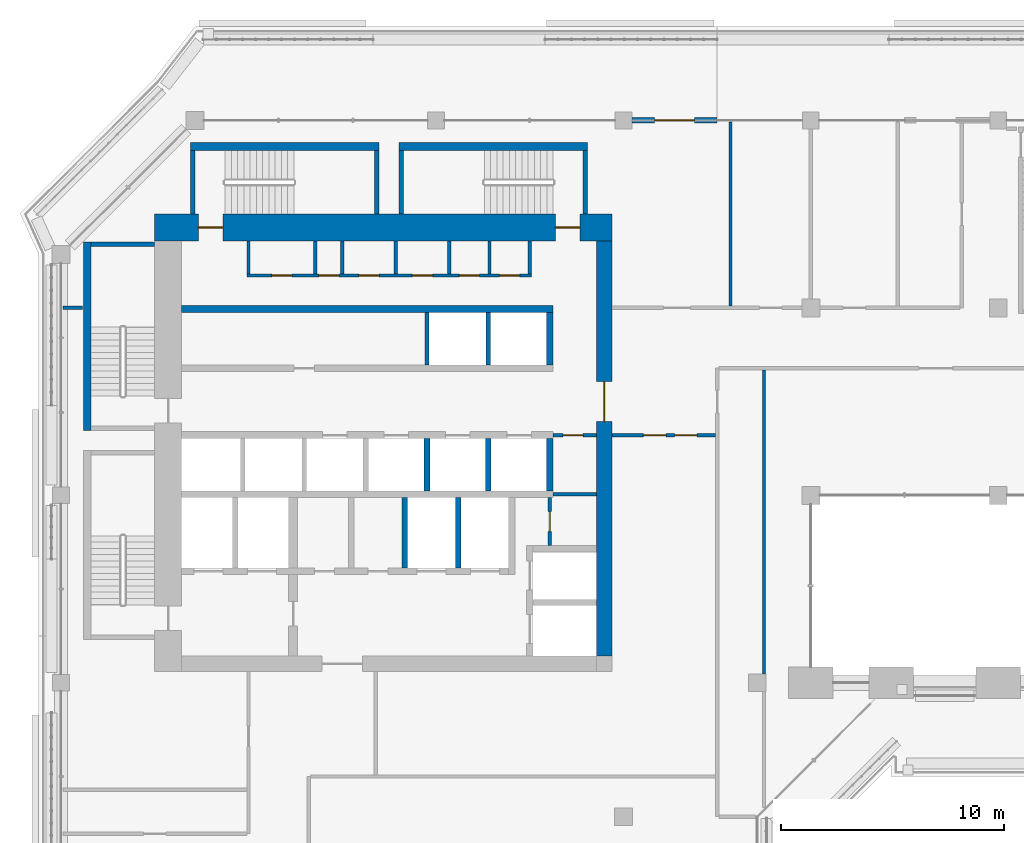
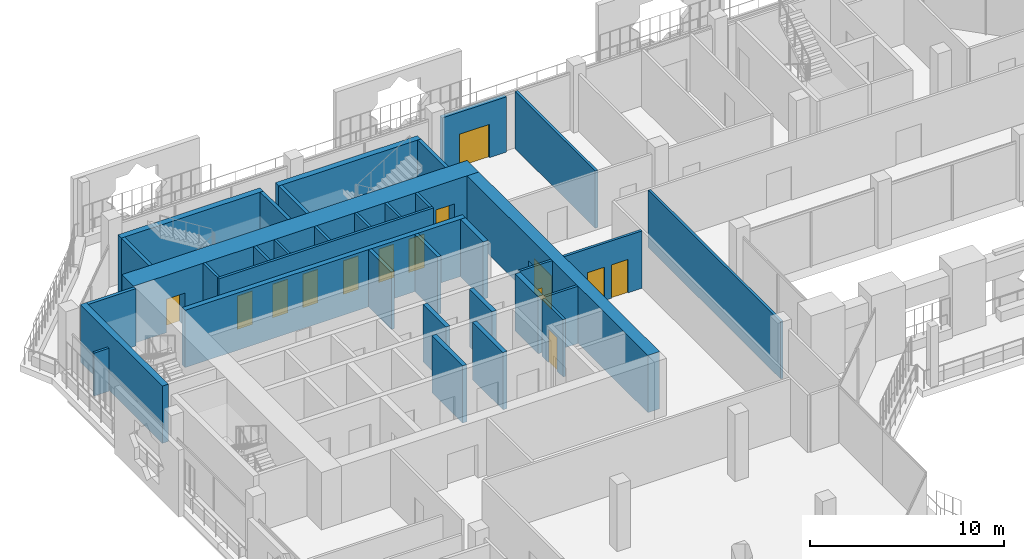
# One storey, part 12 of 23: 35 walls, 14 doors, 14 openings.
"""IFC4 building model written with IfcOpenShell, lengths in metres."""

from ifc_helpers import new_model, si_unit, direction, frame, frame_2d, origin, place, context, subcontext, project, spatial, rectangle, extrude, material, layer, layer_set, type_object, element, fill, save


model = new_model("IFC4")

# Units and contexts
model_context = context("Model", 3, precision=1e-05, world=origin(), true_north=direction((0.0, 1.0)))
body_context = subcontext(model_context, "Body", "Model", "MODEL_VIEW")
ifc_project = project(units=[si_unit("LENGTHUNIT", "METRE"), si_unit("AREAUNIT", "SQUARE_METRE"), si_unit("VOLUMEUNIT", "CUBIC_METRE"), si_unit("PLANEANGLEUNIT", "RADIAN"), si_unit("MASSUNIT", "GRAM", prefix="KILO")], contexts=[model_context])

# Site, building, storey
site_placement = place(None, origin())
site = spatial("IfcSite", under=ifc_project, at=site_placement, CompositionType="ELEMENT")
building_placement = place(site_placement, origin())
building = spatial("IfcBuilding", under=site, at=building_placement, Name="Kawkab Arch Medical Tower", CompositionType="ELEMENT")
storey_placement = place(building_placement, frame((0.0, 0.0, 281.800048828125)))
storey = spatial("IfcBuildingStorey", under=building, at=storey_placement, Name="L65", CompositionType="ELEMENT", Elevation=281.800048828125)

# Wall, openings, doors
ifc_material_1 = material(Name="Concrete C50/60", Category="concrete")
ifc_layer_1 = layer(ifc_material_1, 1.199951171875)
ifc_layer_set_1 = layer_set([ifc_layer_1], Name="Concrete C50/60")
wall_type_1 = type_object("IfcWallType", Name="Core ring wall 1200 C50/60", PredefinedType="SHEAR", material=ifc_layer_set_1)
wall_1_placement = place(storey_placement, frame((4.199951171875, -4.800048828125, 0.0), z_axis=(0.0, 0.0, 1.0), x_axis=(1.0, 0.0, 0.0)))
wall_1 = element("IfcWall", 1, at=wall_1_placement, inside=storey, type_object=wall_type_1, Name="L65 core wall", PredefinedType="SHEAR", context=body_context, shape_type="SweptSolid", body=[
    extrude(rectangle(XDim=20.5, YDim=1.199951171875, at=frame_2d((10.25, 0.0))), origin(), (0.0, 0.0, 1.0), 3.599853515625),
])
opening_1_placement = place(wall_1_placement, frame((1.949951171875, 0.0, 0.0)))
opening_1 = element("IfcOpeningElement", 2, at=opening_1_placement, cuts=wall_1, Name="Opening SD", PredefinedType="OPENING", context=body_context, shape_type="SweptSolid", body=[
    extrude(rectangle(XDim=1.10009765625, YDim=2.10009765625, at=frame_2d((0.550048828125, 1.050048828125))), frame((0.0, 0.60986328125, 0.0), z_axis=(0.0, -1.0, 0.0), x_axis=(1.0, 0.0, 0.0)), (0.0, 0.0, 1.0), 1.219970703125),
])
opening_2_placement = place(wall_1_placement, frame((17.949951171875, 0.0, 0.0)))
opening_2 = element("IfcOpeningElement", 3, at=opening_2_placement, cuts=wall_1, Name="Opening SD", PredefinedType="OPENING", context=body_context, shape_type="SweptSolid", body=[
    extrude(rectangle(XDim=1.10009765625, YDim=2.10009765625, at=frame_2d((0.550048828125, 1.050048828125))), frame((0.0, 0.60986328125, 0.0), z_axis=(0.0, -1.0, 0.0), x_axis=(1.0, 0.0, 0.0)), (0.0, 0.0, 1.0), 1.219970703125),
])
ifc_material_2 = material(Name="Hollow metal fire door leaf")
door_type_1 = type_object("IfcDoorType", Name="Exit stair door 1100", OperationType="SINGLE_SWING_LEFT", PredefinedType="DOOR", material=ifc_material_2)
door_1_placement = place(opening_1_placement, origin())
door_1 = element("IfcDoor", 4, at=door_1_placement, inside=storey, type_object=door_type_1, Name="L65 Exit stair ST3 door", OperationType="SINGLE_SWING_LEFT", OverallHeight=2.10009765625, OverallWidth=1.10009765625, PredefinedType="DOOR", context=body_context, shape_type="SweptSolid", body=[
    extrude(rectangle(XDim=1.10009765625, YDim=2.10009765625, at=frame_2d((0.550048828125, 1.050048828125))), frame((0.0, 0.02490234375, 0.0), z_axis=(0.0, -1.0, 0.0), x_axis=(1.0, 0.0, 0.0)), (0.0, 0.0, 1.0), 0.050048828125),
])
fill(opening_1, door_1)
door_2_placement = place(opening_2_placement, origin())
door_2 = element("IfcDoor", 5, at=door_2_placement, inside=storey, type_object=door_type_1, Name="L65 Exit stair ST4 door", OperationType="SINGLE_SWING_LEFT", OverallHeight=2.10009765625, OverallWidth=1.10009765625, PredefinedType="DOOR", context=body_context, shape_type="SweptSolid", body=[
    extrude(rectangle(XDim=1.10009765625, YDim=2.10009765625, at=frame_2d((0.550048828125, 1.050048828125))), frame((0.0, 0.02490234375, 0.0), z_axis=(0.0, -1.0, 0.0), x_axis=(1.0, 0.0, 0.0)), (0.0, 0.0, 1.0), 0.050048828125),
])
fill(opening_2, door_2)

# Wall, opening, door
ifc_material_3 = material(Name="Concrete C50/60", Category="concrete")
ifc_layer_2 = layer(ifc_material_3, 0.699951171875)
ifc_layer_set_2 = layer_set([ifc_layer_2], Name="Concrete C50/60")
wall_type_2 = type_object("IfcWallType", Name="Core ring wall 700 C50/60", PredefinedType="SHEAR", material=ifc_layer_set_2)
wall_2_placement = place(storey_placement, frame((24.35009765625, -24.0, 0.0), z_axis=(0.0, 0.0, 1.0), x_axis=(0.0, 1.0, 0.0)))
wall_2 = element("IfcWall", 6, at=wall_2_placement, inside=storey, type_object=wall_type_2, Name="L65 core wall", PredefinedType="SHEAR", context=body_context, shape_type="SweptSolid", body=[
    extrude(rectangle(XDim=18.60009765625, YDim=0.699951171875, at=frame_2d((9.300048828125, 0.0))), origin(), (0.0, 0.0, 1.0), 3.599853515625),
])
opening_3_placement = place(wall_2_placement, frame((10.5, 0.0, 0.0)))
opening_3 = element("IfcOpeningElement", 7, at=opening_3_placement, cuts=wall_2, Name="Opening PD", PredefinedType="OPENING", context=body_context, shape_type="SweptSolid", body=[
    extrude(rectangle(XDim=1.800048828125, YDim=2.10009765625, at=frame_2d((0.89990234375, 1.050048828125))), frame((0.0, 0.35986328125, 0.0), z_axis=(0.0, -1.0, 0.0), x_axis=(1.0, 0.0, 0.0)), (0.0, 0.0, 1.0), 0.719970703125),
])
ifc_material_4 = material(Name="Hollow metal fire door leaf")
door_type_2 = type_object("IfcDoorType", Name="Core entrance doors 1800", OperationType="DOUBLE_DOOR_SINGLE_SWING", PredefinedType="DOOR", material=ifc_material_4)
door_3_placement = place(opening_3_placement, origin())
door_3 = element("IfcDoor", 8, at=door_3_placement, inside=storey, type_object=door_type_2, Name="L65 East entrance doors", OperationType="DOUBLE_DOOR_SINGLE_SWING", OverallHeight=2.10009765625, OverallWidth=1.800048828125, PredefinedType="DOOR", context=body_context, shape_type="SweptSolid", body=[
    extrude(rectangle(XDim=1.800048828125, YDim=2.10009765625, at=frame_2d((0.89990234375, 1.050048828125))), frame((0.0, 0.02490234375, 0.0), z_axis=(0.0, -1.0, 0.0), x_axis=(1.0, 0.0, 0.0)), (0.0, 0.0, 1.0), 0.050048828125),
])
fill(opening_3, door_3)

ifc_material_5 = material(Name="Gypsum board on steel studs", Category="steel")
ifc_layer_3 = layer(ifc_material_5, 0.14990234375)
ifc_layer_set_3 = layer_set([ifc_layer_3], Name="Gypsum board on steel studs")
wall_type_3 = type_object("IfcWallType", Name="Core room partition 150", PredefinedType="PARTITIONING", material=ifc_layer_set_3)
wall_3_placement = place(storey_placement, frame((21.89990234375, -19.050048828125, 0.0), z_axis=(0.0, 0.0, 1.0), x_axis=(0.0, 1.0, 0.0)))
wall_3 = element("IfcWall", 9, at=wall_3_placement, inside=storey, type_object=wall_type_3, Name="L65 core room partition", PredefinedType="PARTITIONING", context=body_context, shape_type="SweptSolid", body=[
    extrude(rectangle(XDim=2.150146484375, YDim=0.14990234375, at=frame_2d((1.0751953125, 0.0))), origin(), (0.0, 0.0, 1.0), 3.599853515625),
])
opening_4_placement = place(wall_3_placement, frame((0.625, 0.0, 0.0)))
opening_4 = element("IfcOpeningElement", 10, at=opening_4_placement, cuts=wall_3, Name="Opening RD", PredefinedType="OPENING", context=body_context, shape_type="SweptSolid", body=[
    extrude(rectangle(XDim=0.89990234375, YDim=2.10009765625, at=frame_2d((0.449951171875, 1.050048828125))), frame((0.0, 0.0849609375, 0.0), z_axis=(0.0, -1.0, 0.0), x_axis=(1.0, 0.0, 0.0)), (0.0, 0.0, 1.0), 0.169921875),
])
ifc_material_6 = material(Name="Hollow metal fire door leaf")
door_type_3 = type_object("IfcDoorType", Name="Core room door 900", OperationType="SINGLE_SWING_LEFT", PredefinedType="DOOR", material=ifc_material_6)
door_4_placement = place(opening_4_placement, origin())
door_4 = element("IfcDoor", 11, at=door_4_placement, inside=storey, type_object=door_type_3, Name="L65 Accessible WC door", OperationType="SINGLE_SWING_LEFT", OverallHeight=2.10009765625, OverallWidth=0.89990234375, PredefinedType="DOOR", context=body_context, shape_type="SweptSolid", body=[
    extrude(rectangle(XDim=0.89990234375, YDim=2.10009765625, at=frame_2d((0.449951171875, 1.050048828125))), frame((0.0, 0.02490234375, 0.0), z_axis=(0.0, -1.0, 0.0), x_axis=(1.0, 0.0, 0.0)), (0.0, 0.0, 1.0), 0.050048828125),
])
fill(opening_4, door_4)

# Wall
wall_4_placement = place(storey_placement, frame((22.050048828125, -16.75, 0.0), z_axis=(0.0, 0.0, 1.0), x_axis=(1.0, 0.0, 0.0)))
element("IfcWall", 12, at=wall_4_placement, inside=storey, type_object=wall_type_3, Name="L65 core room partition", PredefinedType="PARTITIONING", context=body_context, shape_type="SweptSolid", body=[
    extrude(rectangle(XDim=1.949951171875, YDim=0.14990234375, at=frame_2d((0.97509765625, 0.0))), origin(), (0.0, 0.0, 1.0), 3.599853515625),
])

# Wall, opening, door
wall_5_placement = place(storey_placement, frame((22.050048828125, -14.10009765625, 0.0), z_axis=(0.0, 0.0, 1.0), x_axis=(1.0, 0.0, 0.0)))
wall_5 = element("IfcWall", 13, at=wall_5_placement, inside=storey, type_object=wall_type_3, Name="L65 core room partition", PredefinedType="PARTITIONING", context=body_context, shape_type="SweptSolid", body=[
    extrude(rectangle(XDim=1.949951171875, YDim=0.14990234375, at=frame_2d((0.97509765625, 0.0))), origin(), (0.0, 0.0, 1.0), 3.599853515625),
])
opening_5_placement = place(wall_5_placement, frame((0.449951171875, 0.0, 0.0)))
opening_5 = element("IfcOpeningElement", 14, at=opening_5_placement, cuts=wall_5, Name="Opening RD", PredefinedType="OPENING", context=body_context, shape_type="SweptSolid", body=[
    extrude(rectangle(XDim=0.89990234375, YDim=2.10009765625, at=frame_2d((0.449951171875, 1.050048828125))), frame((0.0, 0.0849609375, 0.0), z_axis=(0.0, -1.0, 0.0), x_axis=(1.0, 0.0, 0.0)), (0.0, 0.0, 1.0), 0.169921875),
])
door_5_placement = place(opening_5_placement, origin())
door_5 = element("IfcDoor", 15, at=door_5_placement, inside=storey, type_object=door_type_3, Name="L65 Equipment store door", OperationType="SINGLE_SWING_LEFT", OverallHeight=2.10009765625, OverallWidth=0.89990234375, PredefinedType="DOOR", context=body_context, shape_type="SweptSolid", body=[
    extrude(rectangle(XDim=0.89990234375, YDim=2.10009765625, at=frame_2d((0.449951171875, 1.050048828125))), frame((0.0, 0.02490234375, 0.0), z_axis=(0.0, -1.0, 0.0), x_axis=(1.0, 0.0, 0.0)), (0.0, 0.0, 1.0), 0.050048828125),
])
fill(opening_5, door_5)

# Wall, openings, doors
wall_6_placement = place(storey_placement, frame((8.324951171875, -6.949951171875, 0.0), z_axis=(0.0, 0.0, 1.0), x_axis=(1.0, 0.0, 0.0)))
wall_6 = element("IfcWall", 16, at=wall_6_placement, inside=storey, type_object=wall_type_3, Name="L65 core room partition", PredefinedType="PARTITIONING", context=body_context, shape_type="SweptSolid", body=[
    extrude(rectangle(XDim=12.75, YDim=0.14990234375, at=frame_2d((6.375, 0.0))), origin(), (0.0, 0.0, 1.0), 3.599853515625),
])
opening_6_placement = place(wall_6_placement, frame((1.125, 0.0, 0.0)))
opening_6 = element("IfcOpeningElement", 17, at=opening_6_placement, cuts=wall_6, Name="Opening RD", PredefinedType="OPENING", context=body_context, shape_type="SweptSolid", body=[
    extrude(rectangle(XDim=0.89990234375, YDim=2.10009765625, at=frame_2d((0.449951171875, 1.050048828125))), frame((0.0, 0.0849609375, 0.0), z_axis=(0.0, -1.0, 0.0), x_axis=(1.0, 0.0, 0.0)), (0.0, 0.0, 1.0), 0.169921875),
])
opening_7_placement = place(wall_6_placement, frame((3.22509765625, 0.0, 0.0)))
opening_7 = element("IfcOpeningElement", 18, at=opening_7_placement, cuts=wall_6, Name="Opening RD", PredefinedType="OPENING", context=body_context, shape_type="SweptSolid", body=[
    extrude(rectangle(XDim=0.89990234375, YDim=2.10009765625, at=frame_2d((0.449951171875, 1.050048828125))), frame((0.0, 0.0849609375, 0.0), z_axis=(0.0, -1.0, 0.0), x_axis=(1.0, 0.0, 0.0)), (0.0, 0.0, 1.0), 0.169921875),
])
opening_8_placement = place(wall_6_placement, frame((5.02490234375, 0.0, 0.0)))
opening_8 = element("IfcOpeningElement", 19, at=opening_8_placement, cuts=wall_6, Name="Opening RD", PredefinedType="OPENING", context=body_context, shape_type="SweptSolid", body=[
    extrude(rectangle(XDim=0.89990234375, YDim=2.10009765625, at=frame_2d((0.449951171875, 1.050048828125))), frame((0.0, 0.0849609375, 0.0), z_axis=(0.0, -1.0, 0.0), x_axis=(1.0, 0.0, 0.0)), (0.0, 0.0, 1.0), 0.169921875),
])
opening_9_placement = place(wall_6_placement, frame((7.425048828125, 0.0, 0.0)))
opening_9 = element("IfcOpeningElement", 20, at=opening_9_placement, cuts=wall_6, Name="Opening RD", PredefinedType="OPENING", context=body_context, shape_type="SweptSolid", body=[
    extrude(rectangle(XDim=0.89990234375, YDim=2.10009765625, at=frame_2d((0.449951171875, 1.050048828125))), frame((0.0, 0.0849609375, 0.0), z_axis=(0.0, -1.0, 0.0), x_axis=(1.0, 0.0, 0.0)), (0.0, 0.0, 1.0), 0.169921875),
])
opening_10_placement = place(wall_6_placement, frame((9.52490234375, 0.0, 0.0)))
opening_10 = element("IfcOpeningElement", 21, at=opening_10_placement, cuts=wall_6, Name="Opening RD", PredefinedType="OPENING", context=body_context, shape_type="SweptSolid", body=[
    extrude(rectangle(XDim=0.89990234375, YDim=2.10009765625, at=frame_2d((0.449951171875, 1.050048828125))), frame((0.0, 0.0849609375, 0.0), z_axis=(0.0, -1.0, 0.0), x_axis=(1.0, 0.0, 0.0)), (0.0, 0.0, 1.0), 0.169921875),
])
opening_11_placement = place(wall_6_placement, frame((11.324951171875, 0.0, 0.0)))
opening_11 = element("IfcOpeningElement", 22, at=opening_11_placement, cuts=wall_6, Name="Opening RD", PredefinedType="OPENING", context=body_context, shape_type="SweptSolid", body=[
    extrude(rectangle(XDim=0.89990234375, YDim=2.10009765625, at=frame_2d((0.449951171875, 1.050048828125))), frame((0.0, 0.0849609375, 0.0), z_axis=(0.0, -1.0, 0.0), x_axis=(1.0, 0.0, 0.0)), (0.0, 0.0, 1.0), 0.169921875),
])
door_6_placement = place(opening_6_placement, origin())
door_6 = element("IfcDoor", 23, at=door_6_placement, inside=storey, type_object=door_type_3, Name="L65 General store door", OperationType="SINGLE_SWING_LEFT", OverallHeight=2.10009765625, OverallWidth=0.89990234375, PredefinedType="DOOR", context=body_context, shape_type="SweptSolid", body=[
    extrude(rectangle(XDim=0.89990234375, YDim=2.10009765625, at=frame_2d((0.449951171875, 1.050048828125))), frame((0.0, 0.02490234375, 0.0), z_axis=(0.0, -1.0, 0.0), x_axis=(1.0, 0.0, 0.0)), (0.0, 0.0, 1.0), 0.050048828125),
])
fill(opening_6, door_6)
door_7_placement = place(opening_7_placement, origin())
door_7 = element("IfcDoor", 24, at=door_7_placement, inside=storey, type_object=door_type_3, Name="L65 Electrical riser room door", OperationType="SINGLE_SWING_LEFT", OverallHeight=2.10009765625, OverallWidth=0.89990234375, PredefinedType="DOOR", context=body_context, shape_type="SweptSolid", body=[
    extrude(rectangle(XDim=0.89990234375, YDim=2.10009765625, at=frame_2d((0.449951171875, 1.050048828125))), frame((0.0, 0.02490234375, 0.0), z_axis=(0.0, -1.0, 0.0), x_axis=(1.0, 0.0, 0.0)), (0.0, 0.0, 1.0), 0.050048828125),
])
fill(opening_7, door_7)
door_8_placement = place(opening_8_placement, origin())
door_8 = element("IfcDoor", 25, at=door_8_placement, inside=storey, type_object=door_type_3, Name="L65 Housekeeping store door", OperationType="SINGLE_SWING_LEFT", OverallHeight=2.10009765625, OverallWidth=0.89990234375, PredefinedType="DOOR", context=body_context, shape_type="SweptSolid", body=[
    extrude(rectangle(XDim=0.89990234375, YDim=2.10009765625, at=frame_2d((0.449951171875, 1.050048828125))), frame((0.0, 0.02490234375, 0.0), z_axis=(0.0, -1.0, 0.0), x_axis=(1.0, 0.0, 0.0)), (0.0, 0.0, 1.0), 0.050048828125),
])
fill(opening_8, door_8)
door_9_placement = place(opening_9_placement, origin())
door_9 = element("IfcDoor", 26, at=door_9_placement, inside=storey, type_object=door_type_3, Name="L65 UPS room door", OperationType="SINGLE_SWING_LEFT", OverallHeight=2.10009765625, OverallWidth=0.89990234375, PredefinedType="DOOR", context=body_context, shape_type="SweptSolid", body=[
    extrude(rectangle(XDim=0.89990234375, YDim=2.10009765625, at=frame_2d((0.449951171875, 1.050048828125))), frame((0.0, 0.02490234375, 0.0), z_axis=(0.0, -1.0, 0.0), x_axis=(1.0, 0.0, 0.0)), (0.0, 0.0, 1.0), 0.050048828125),
])
fill(opening_9, door_9)
door_10_placement = place(opening_10_placement, origin())
door_10 = element("IfcDoor", 27, at=door_10_placement, inside=storey, type_object=door_type_3, Name="L65 Comms room door", OperationType="SINGLE_SWING_LEFT", OverallHeight=2.10009765625, OverallWidth=0.89990234375, PredefinedType="DOOR", context=body_context, shape_type="SweptSolid", body=[
    extrude(rectangle(XDim=0.89990234375, YDim=2.10009765625, at=frame_2d((0.449951171875, 1.050048828125))), frame((0.0, 0.02490234375, 0.0), z_axis=(0.0, -1.0, 0.0), x_axis=(1.0, 0.0, 0.0)), (0.0, 0.0, 1.0), 0.050048828125),
])
fill(opening_10, door_10)
door_11_placement = place(opening_11_placement, origin())
door_11 = element("IfcDoor", 28, at=door_11_placement, inside=storey, type_object=door_type_3, Name="L65 Electrical riser room door", OperationType="SINGLE_SWING_LEFT", OverallHeight=2.10009765625, OverallWidth=0.89990234375, PredefinedType="DOOR", context=body_context, shape_type="SweptSolid", body=[
    extrude(rectangle(XDim=0.89990234375, YDim=2.10009765625, at=frame_2d((0.449951171875, 1.050048828125))), frame((0.0, 0.02490234375, 0.0), z_axis=(0.0, -1.0, 0.0), x_axis=(1.0, 0.0, 0.0)), (0.0, 0.0, 1.0), 0.050048828125),
])
fill(opening_11, door_11)

# Walls
for number, where, z_axis, x_axis, name in (
    (29, (8.39990234375, -6.875, 0.0), (0.0, 0.0, 1.0), (0.0, 1.0, 0.0), "L65 core room partition"),
    (30, (11.39990234375, -6.875, 0.0), (0.0, 0.0, 1.0), (0.0, 1.0, 0.0), "L65 core room partition"),
    (31, (12.60009765625, -6.875, 0.0), (0.0, 0.0, 1.0), (0.0, 1.0, 0.0), "L65 core room partition"),
    (32, (15.0, -6.875, 0.0), (0.0, 0.0, 1.0), (0.0, 1.0, 0.0), "L65 core room partition"),
    (33, (17.39990234375, -6.875, 0.0), (0.0, 0.0, 1.0), (0.0, 1.0, 0.0), "L65 core room partition"),
    (34, (19.199951171875, -6.875, 0.0), (0.0, 0.0, 1.0), (0.0, 1.0, 0.0), "L65 core room partition"),
    (35, (21.0, -6.875, 0.0), (0.0, 0.0, 1.0), (0.0, 1.0, 0.0), "L65 core room partition"),
):
    element("IfcWall", number, at=place(storey_placement, frame(where, z_axis=z_axis, x_axis=x_axis)), inside=storey, type_object=wall_type_3, Name=name, PredefinedType="PARTITIONING", context=body_context, shape_type="SweptSolid", body=[
        extrude(rectangle(XDim=1.47509765625, YDim=0.14990234375, at=frame_2d((0.737548828125, 0.0))), origin(), (0.0, 0.0, 1.0), 3.599853515625),
    ])
ifc_material_7 = material(Name="Concrete C60/75", Category="concrete")
ifc_layer_4 = layer(ifc_material_7, 0.25)
ifc_layer_set_4 = layer_set([ifc_layer_4], Name="Concrete C60/75")
wall_type_4 = type_object("IfcWallType", Name="Core shear wall 250 C60/75", PredefinedType="SHEAR", material=ifc_layer_set_4)
for number, where, z_axis, x_axis, name in (
    (36, (15.39990234375, -20.050048828125, 0.0), (0.0, 0.0, 1.0), (0.0, 1.0, 0.0), "L65 core shear wall"),
    (37, (17.800048828125, -20.050048828125, 0.0), (0.0, 0.0, 1.0), (0.0, 1.0, 0.0), "L65 core shear wall"),
):
    element("IfcWall", number, at=place(storey_placement, frame(where, z_axis=z_axis, x_axis=x_axis)), inside=storey, type_object=wall_type_4, Name=name, PredefinedType="SHEAR", context=body_context, shape_type="SweptSolid", body=[
        extrude(rectangle(XDim=3.150146484375, YDim=0.25, at=frame_2d((1.5751953125, 0.0))), origin(), (0.0, 0.0, 1.0), 3.599853515625),
    ])
for number, where, z_axis, x_axis, name in (
    (38, (16.39990234375, -16.60009765625, 0.0), (0.0, 0.0, 1.0), (0.0, 1.0, 0.0), "L65 core shear wall"),
    (39, (19.14990234375, -16.60009765625, 0.0), (0.0, 0.0, 1.0), (0.0, 1.0, 0.0), "L65 core shear wall"),
):
    element("IfcWall", number, at=place(storey_placement, frame(where, z_axis=z_axis, x_axis=x_axis)), inside=storey, type_object=wall_type_4, Name=name, PredefinedType="SHEAR", context=body_context, shape_type="SweptSolid", body=[
        extrude(rectangle(XDim=2.35009765625, YDim=0.25, at=frame_2d((1.175048828125, 0.0))), origin(), (0.0, 0.0, 1.0), 3.599853515625),
    ])
ifc_material_8 = material(Name="Concrete C60/75", Category="concrete")
ifc_layer_5 = layer(ifc_material_8, 0.300048828125)
ifc_layer_set_5 = layer_set([ifc_layer_5], Name="Concrete C60/75")
wall_type_5 = type_object("IfcWallType", Name="Core shear wall 300 C60/75", PredefinedType="SHEAR", material=ifc_layer_set_5)
wall_7_placement = place(storey_placement, frame((5.39990234375, -8.449951171875, 0.0), z_axis=(0.0, 0.0, 1.0), x_axis=(1.0, 0.0, 0.0)))
element("IfcWall", 40, at=wall_7_placement, inside=storey, type_object=wall_type_5, Name="L65 core shear wall", PredefinedType="SHEAR", context=body_context, shape_type="SweptSolid", body=[
    extrude(rectangle(XDim=16.650146484375, YDim=0.300048828125, at=frame_2d((8.3251953125, 0.0))), origin(), (0.0, 0.0, 1.0), 3.599853515625),
])
wall_8_placement = place(storey_placement, frame((21.89990234375, -10.949951171875, 0.0), z_axis=(0.0, 0.0, 1.0), x_axis=(0.0, 1.0, 0.0)))
element("IfcWall", 41, at=wall_8_placement, inside=storey, type_object=wall_type_5, Name="L65 core shear wall", PredefinedType="SHEAR", context=body_context, shape_type="SweptSolid", body=[
    extrude(rectangle(XDim=2.349853515625, YDim=0.300048828125, at=frame_2d((1.1748046875, 0.0))), origin(), (0.0, 0.0, 1.0), 3.599853515625),
])
wall_9_placement = place(storey_placement, frame((21.89990234375, -16.60009765625, 0.0), z_axis=(0.0, 0.0, 1.0), x_axis=(0.0, 1.0, 0.0)))
element("IfcWall", 42, at=wall_9_placement, inside=storey, type_object=wall_type_5, Name="L65 core shear wall", PredefinedType="SHEAR", context=body_context, shape_type="SweptSolid", body=[
    extrude(rectangle(XDim=2.35009765625, YDim=0.300048828125, at=frame_2d((1.175048828125, 0.0))), origin(), (0.0, 0.0, 1.0), 3.599853515625),
])

# Wall, opening, door
ifc_material_9 = material(Name="Bronze clad insulated wall panel")
ifc_layer_6 = layer(ifc_material_9, 0.25)
ifc_layer_set_6 = layer_set([ifc_layer_6], Name="Bronze clad insulated wall panel")
wall_type_6 = type_object("IfcWallType", Name="External wall bay 250", PredefinedType="SOLIDWALL", material=ifc_layer_set_6)
wall_10_placement = place(storey_placement, frame((29.39990234375, 0.0, 0.0), z_axis=(0.0, 0.0, 1.0), x_axis=(-1.0, 0.0, 0.0)))
wall_10 = element("IfcWall", 43, at=wall_10_placement, inside=storey, type_object=wall_type_6, Name="External wall bay L65.R10.3.2", PredefinedType="SOLIDWALL", context=body_context, shape_type="SweptSolid", body=[
    extrude(rectangle(XDim=3.824951171875, YDim=0.25, at=frame_2d((1.91259765625, 0.0))), origin(), (0.0, 0.0, 1.0), 3.47998046875),
])
opening_12_placement = place(wall_10_placement, frame((1.012451171875, 0.0, 0.0)))
opening_12 = element("IfcOpeningElement", 44, at=opening_12_placement, cuts=wall_10, Name="Opening B65-701", PredefinedType="OPENING", context=body_context, shape_type="SweptSolid", body=[
    extrude(rectangle(XDim=1.800048828125, YDim=2.10009765625, at=frame_2d((0.89990234375, 1.050048828125))), frame((0.0, 0.135009765625, 0.0), z_axis=(0.0, -1.0, 0.0), x_axis=(1.0, 0.0, 0.0)), (0.0, 0.0, 1.0), 0.27001953125),
])
ifc_material_10 = material(Name="Bronze anodised aluminium door with tinted glass", Category="aluminium")
door_type_4 = type_object("IfcDoorType", Name="Double external door 1800 x 2100", OperationType="DOUBLE_DOOR_SINGLE_SWING", PredefinedType="DOOR", material=ifc_material_10)
door_12_placement = place(opening_12_placement, origin())
door_12 = element("IfcDoor", 45, at=door_12_placement, inside=storey, type_object=door_type_4, Name="External door L65.R10.3.2", OperationType="DOUBLE_DOOR_SINGLE_SWING", OverallHeight=2.10009765625, OverallWidth=1.800048828125, PredefinedType="DOOR", context=body_context, shape_type="SweptSolid", body=[
    extrude(rectangle(XDim=1.800048828125, YDim=2.10009765625, at=frame_2d((0.89990234375, 1.050048828125))), frame((0.0, 0.02490234375, 0.0), z_axis=(0.0, -1.0, 0.0), x_axis=(1.0, 0.0, 0.0)), (0.0, 0.0, 1.0), 0.050048828125),
])
fill(opening_12, door_12)

# Walls
ifc_material_11 = material(Name="Dense concrete blockwork", Category="masonry")
ifc_layer_7 = layer(ifc_material_11, 0.199951171875)
ifc_layer_set_7 = layer_set([ifc_layer_7], Name="Dense concrete blockwork")
wall_type_7 = type_object("IfcWallType", Name="Lift shaft partition 200", PredefinedType="PARTITIONING", material=ifc_layer_set_7)
for number, where, z_axis, x_axis, name in (
    (46, (16.39990234375, -10.949951171875, 0.0), (0.0, 0.0, 1.0), (0.0, 1.0, 0.0), "L65 lift shaft partition"),
    (47, (19.14990234375, -10.949951171875, 0.0), (0.0, 0.0, 1.0), (0.0, 1.0, 0.0), "L65 lift shaft partition"),
):
    element("IfcWall", number, at=place(storey_placement, frame(where, z_axis=z_axis, x_axis=x_axis)), inside=storey, type_object=wall_type_7, Name=name, PredefinedType="PARTITIONING", context=body_context, shape_type="SweptSolid", body=[
        extrude(rectangle(XDim=2.349853515625, YDim=0.199951171875, at=frame_2d((1.1748046875, 0.0))), origin(), (0.0, 0.0, 1.0), 3.599853515625),
    ])

# Wall, openings, doors
ifc_material_12 = material(Name="Gypsum board partition on steel studs, mineral wool", Category="steel")
ifc_layer_8 = layer(ifc_material_12, 0.14990234375)
ifc_layer_set_8 = layer_set([ifc_layer_8], Name="Gypsum board partition on steel studs, mineral wool")
wall_type_8 = type_object("IfcWallType", Name="Partition 150", PredefinedType="PARTITIONING", material=ifc_layer_set_8)
wall_11_placement = place(storey_placement, frame((24.699951171875, -14.10009765625, 0.0), z_axis=(0.0, 0.0, 1.0), x_axis=(1.0, 0.0, 0.0)))
wall_11 = element("IfcWall", 48, at=wall_11_placement, inside=storey, type_object=wall_type_8, Name="Partition 150 w006", PredefinedType="PARTITIONING", context=body_context, shape_type="SweptSolid", body=[
    extrude(rectangle(XDim=4.625, YDim=0.14990234375, at=frame_2d((2.3125, 0.0))), origin(), (0.0, 0.0, 1.0), 3.599853515625),
])
opening_13_placement = place(wall_11_placement, frame((2.800048828125, 0.0, 0.0)))
opening_13 = element("IfcOpeningElement", 49, at=opening_13_placement, cuts=wall_11, Name="Opening B65-007", PredefinedType="OPENING", context=body_context, shape_type="SweptSolid", body=[
    extrude(rectangle(XDim=1.0, YDim=2.10009765625, at=frame_2d((0.5, 1.050048828125))), frame((0.0, 0.0849609375, 0.0), z_axis=(0.0, -1.0, 0.0), x_axis=(1.0, 0.0, 0.0)), (0.0, 0.0, 1.0), 0.169921875),
])
opening_14_placement = place(wall_11_placement, frame((1.39990234375, 0.0, 0.0)))
opening_14 = element("IfcOpeningElement", 50, at=opening_14_placement, cuts=wall_11, Name="Opening B65-008", PredefinedType="OPENING", context=body_context, shape_type="SweptSolid", body=[
    extrude(rectangle(XDim=1.0, YDim=2.10009765625, at=frame_2d((0.5, 1.050048828125))), frame((0.0, 0.0849609375, 0.0), z_axis=(0.0, -1.0, 0.0), x_axis=(1.0, 0.0, 0.0)), (0.0, 0.0, 1.0), 0.169921875),
])
ifc_material_13 = material(Name="Hollow metal door leaf")
door_type_5 = type_object("IfcDoorType", Name="Single door 1000x2100 FD30S", OperationType="NOTDEFINED", PredefinedType="DOOR", material=ifc_material_13)
door_13_placement = place(opening_13_placement, origin())
door_13 = element("IfcDoor", 51, at=door_13_placement, inside=storey, type_object=door_type_5, Name="Door B65-007", OperationType="SINGLE_SWING_LEFT", OverallHeight=2.10009765625, OverallWidth=1.0, PredefinedType="DOOR", context=body_context, shape_type="SweptSolid", body=[
    extrude(rectangle(XDim=1.0, YDim=2.10009765625, at=frame_2d((0.5, 1.050048828125))), frame((0.0, 0.02490234375, 0.0), z_axis=(0.0, -1.0, 0.0), x_axis=(1.0, 0.0, 0.0)), (0.0, 0.0, 1.0), 0.050048828125),
])
fill(opening_13, door_13)
door_14_placement = place(opening_14_placement, origin())
door_14 = element("IfcDoor", 52, at=door_14_placement, inside=storey, type_object=door_type_5, Name="Door B65-008", OperationType="SINGLE_SWING_RIGHT", OverallHeight=2.10009765625, OverallWidth=1.0, PredefinedType="DOOR", context=body_context, shape_type="SweptSolid", body=[
    extrude(rectangle(XDim=1.0, YDim=2.10009765625, at=frame_2d((0.5, 1.050048828125))), frame((0.0, 0.02490234375, 0.0), z_axis=(0.0, -1.0, 0.0), x_axis=(1.0, 0.0, 0.0)), (0.0, 0.0, 1.0), 0.050048828125),
])
fill(opening_14, door_14)

# Walls
wall_12_placement = place(storey_placement, frame((0.080078125, -8.39990234375, 0.0), z_axis=(0.0, 0.0, 1.0), x_axis=(1.0, 0.0, 0.0)))
element("IfcWall", 53, at=wall_12_placement, inside=storey, type_object=wall_type_8, Name="Partition 150 w008", PredefinedType="PARTITIONING", context=body_context, shape_type="SweptSolid", body=[
    extrude(rectangle(XDim=0.889892578125, YDim=0.14990234375, at=frame_2d((0.44482421875, 0.0))), origin(), (0.0, 0.0, 1.0), 2.699951171875),
])
wall_13_placement = place(storey_placement, frame((30.0, -8.324951171875, 0.0), z_axis=(0.0, 0.0, 1.0), x_axis=(0.0, 1.0, 0.0)))
element("IfcWall", 54, at=wall_13_placement, inside=storey, type_object=wall_type_8, Name="Partition 150 w018", PredefinedType="PARTITIONING", context=body_context, shape_type="SweptSolid", body=[
    extrude(rectangle(XDim=8.244873046875, YDim=0.14990234375, at=frame_2d((4.12255859375, 0.0))), origin(), (0.0, 0.0, 1.0), 3.599853515625),
])
wall_14_placement = place(storey_placement, frame((31.5, -24.800048828125, 0.0), z_axis=(0.0, 0.0, 1.0), x_axis=(0.0, 1.0, 0.0)))
element("IfcWall", 55, at=wall_14_placement, inside=storey, type_object=wall_type_8, Name="Partition 150 w020", PredefinedType="PARTITIONING", context=body_context, shape_type="SweptSolid", body=[
    extrude(rectangle(XDim=13.625, YDim=0.14990234375, at=frame_2d((6.8125, 0.0))), origin(), (0.0, 0.0, 1.0), 3.599853515625),
])
ifc_material_14 = material(Name="Concrete C50/60", Category="concrete")
ifc_layer_9 = layer(ifc_material_14, 0.199951171875)
ifc_layer_set_9 = layer_set([ifc_layer_9], Name="Concrete C50/60")
wall_type_9 = type_object("IfcWallType", Name="Stair enclosure wall 200 C50/60", PredefinedType="SHEAR", material=ifc_layer_set_9)
for number, where, z_axis, x_axis, name in (
    (56, (1.35009765625, -5.550048828125, 0.0), (0.0, 0.0, 1.0), (1.0, 0.0, 0.0), "L65 stair enclosure wall"),
    (57, (5.89990234375, -4.199951171875, 0.0), (0.0, 0.0, 1.0), (0.0, 1.0, 0.0), "L65 stair enclosure wall"),
    (58, (14.14990234375, -4.199951171875, 0.0), (0.0, 0.0, 1.0), (0.0, 1.0, 0.0), "L65 stair enclosure wall"),
    (59, (15.25, -4.199951171875, 0.0), (0.0, 0.0, 1.0), (0.0, 1.0, 0.0), "L65 stair enclosure wall"),
    (60, (23.5, -4.199951171875, 0.0), (0.0, 0.0, 1.0), (0.0, 1.0, 0.0), "L65 stair enclosure wall"),
):
    element("IfcWall", number, at=place(storey_placement, frame(where, z_axis=z_axis, x_axis=x_axis)), inside=storey, type_object=wall_type_9, Name=name, PredefinedType="SHEAR", context=body_context, shape_type="SweptSolid", body=[
        extrude(rectangle(XDim=2.849853515625, YDim=0.199951171875, at=frame_2d((1.4248046875, 0.0))), origin(), (0.0, 0.0, 1.0), 3.599853515625),
    ])
ifc_material_15 = material(Name="Concrete C50/60", Category="concrete")
ifc_layer_10 = layer(ifc_material_15, 0.35009765625)
ifc_layer_set_10 = layer_set([ifc_layer_10], Name="Concrete C50/60")
wall_type_10 = type_object("IfcWallType", Name="Stair enclosure wall 350 C50/60", PredefinedType="SHEAR", material=ifc_layer_set_10)
for number, where, z_axis, x_axis, name in (
    (61, (1.175048828125, -13.89990234375, 0.0), (0.0, 0.0, 1.0), (0.0, 1.0, 0.0), "L65 stair enclosure wall"),
    (62, (5.800048828125, -1.175048828125, 0.0), (0.0, 0.0, 1.0), (1.0, 0.0, 0.0), "L65 stair enclosure wall"),
):
    element("IfcWall", number, at=place(storey_placement, frame(where, z_axis=z_axis, x_axis=x_axis)), inside=storey, type_object=wall_type_10, Name=name, PredefinedType="SHEAR", context=body_context, shape_type="SweptSolid", body=[
        extrude(rectangle(XDim=8.449951171875, YDim=0.35009765625, at=frame_2d((4.22509765625, 0.0))), origin(), (0.0, 0.0, 1.0), 3.599853515625),
    ])
wall_15_placement = place(storey_placement, frame((15.14990234375, -1.175048828125, 0.0), z_axis=(0.0, 0.0, 1.0), x_axis=(1.0, 0.0, 0.0)))
element("IfcWall", 63, at=wall_15_placement, inside=storey, type_object=wall_type_10, Name="L65 stair enclosure wall", PredefinedType="SHEAR", context=body_context, shape_type="SweptSolid", body=[
    extrude(rectangle(XDim=8.4501953125, YDim=0.35009765625, at=frame_2d((4.22509765625, 0.0))), origin(), (0.0, 0.0, 1.0), 3.599853515625),
])

save(model, "model.ifc")
